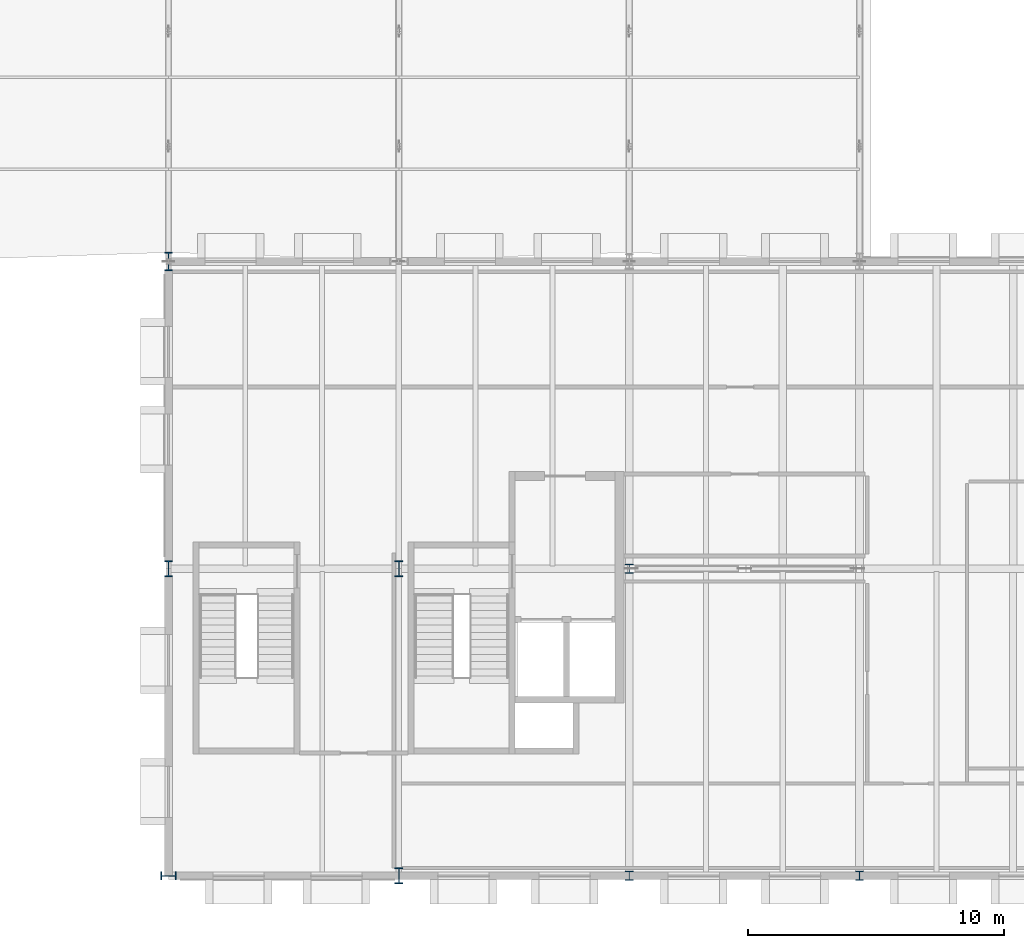
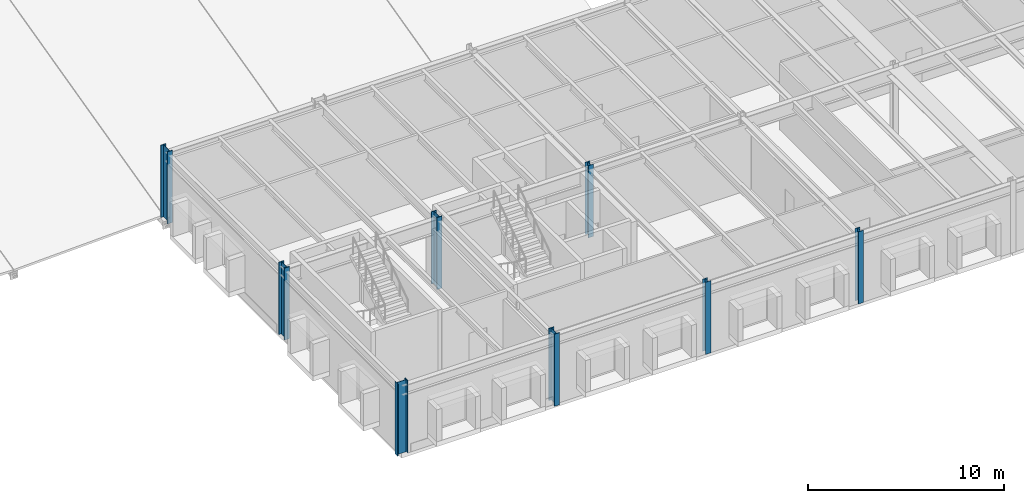
# One storey, part 1 of 67: 8 columns.
"""IFC4 building model written with IfcOpenShell, lengths in metres."""

from ifc_helpers import new_model, si_unit, direction, frame, origin, origin_2d, place, context, subcontext, project, spatial, i_section, extrude, material, material_profile, profile_set, type_object, element, save


model = new_model("IFC4")

# Units and contexts
model_context = context("Model", 3, precision=1e-05, world=origin(), true_north=direction((0.0, 1.0)))
body_context = subcontext(model_context, "Body", "Model", "MODEL_VIEW")
ifc_project = project(units=[si_unit("LENGTHUNIT", "METRE"), si_unit("AREAUNIT", "SQUARE_METRE"), si_unit("VOLUMEUNIT", "CUBIC_METRE"), si_unit("PLANEANGLEUNIT", "RADIAN"), si_unit("MASSUNIT", "GRAM", prefix="KILO")], contexts=[model_context])

# Site, building, storey
site_placement = place(None, origin())
site = spatial("IfcSite", under=ifc_project, at=site_placement, CompositionType="ELEMENT")
building_placement = place(site_placement, origin())
building = spatial("IfcBuilding", under=site, at=building_placement, Name="Montelvaro Courts of Justice", CompositionType="ELEMENT")
storey_placement = place(building_placement, frame((0.0, 0.0, 18.89990234375)))
storey = spatial("IfcBuildingStorey", under=building, at=storey_placement, Name="L04", CompositionType="ELEMENT", Elevation=18.89990234375)

# Columns
ifc_material = material(Name="Steel S355", Category="steel")
ifc_material_profile_1 = material_profile(ifc_material, i_section(OverallWidth=0.300048828125, OverallDepth=0.340087890625, WebThickness=0.011962890625, FlangeThickness=0.021484375, at=origin_2d()), Name="HEB 340")
ifc_profile_set_1 = profile_set([ifc_material_profile_1], Name="Steel S355")
column_type_1 = type_object("IfcColumnType", Name="Col_HEB340", PredefinedType="COLUMN", material=ifc_profile_set_1)
column_1_placement = place(storey_placement, frame((63.0, 0.0, 0.0), z_axis=(0.0, 0.0, 1.0), x_axis=(1.0, 0.0, 0.0)))
element("IfcColumn", 1, at=column_1_placement, inside=storey, type_object=column_type_1, Name="Column C-05 L04 8/A", PredefinedType="COLUMN", context=body_context, shape_type="SweptSolid", body=[
    extrude(i_section(OverallWidth=0.300048828125, OverallDepth=0.340087890625, WebThickness=0.011962890625, FlangeThickness=0.021484375, at=origin_2d()), origin(), (0.0, 0.0, 1.0), 4.5),
])
ifc_material_profile_2 = material_profile(ifc_material, i_section(OverallWidth=0.300048828125, OverallDepth=0.360107421875, WebThickness=0.012451171875, FlangeThickness=0.0224609375, at=origin_2d()), Name="HEB 360")
ifc_profile_set_2 = profile_set([ifc_material_profile_2], Name="Steel S355")
column_type_2 = type_object("IfcColumnType", Name="Col_HEB360", PredefinedType="COLUMN", material=ifc_profile_set_2)
for number, where, z_axis, x_axis, name in (
    (2, (63.0, 12.0, 0.0), (0.0, 0.0, 1.0), (1.0, 0.0, 0.0), "Column C-06 L04 8/B"),
    (3, (72.0, 0.0, 0.0), (0.0, 0.0, 1.0), (1.0, 0.0, 0.0), "Column C-06 L04 9/A"),
):
    element("IfcColumn", number, at=place(storey_placement, frame(where, z_axis=z_axis, x_axis=x_axis)), inside=storey, type_object=column_type_2, Name=name, PredefinedType="COLUMN", context=body_context, shape_type="SweptSolid", body=[
        extrude(i_section(OverallWidth=0.300048828125, OverallDepth=0.360107421875, WebThickness=0.012451171875, FlangeThickness=0.0224609375, at=origin_2d()), origin(), (0.0, 0.0, 1.0), 4.5),
    ])
ifc_material_profile_3 = material_profile(ifc_material, i_section(OverallWidth=0.304931640625, OverallDepth=0.6201171875, WebThickness=0.02099609375, FlangeThickness=0.0400390625, at=origin_2d()), Name="HEM 600")
ifc_profile_set_3 = profile_set([ifc_material_profile_3], Name="Steel S355")
column_type_3 = type_object("IfcColumnType", Name="Col_HEM600", PredefinedType="COLUMN", material=ifc_profile_set_3)
for number, where, z_axis, x_axis, name in (
    (4, (45.0, 0.0, 0.0), (0.0, 0.0, 1.0), (0.0, 1.0, 0.0), "Column C-15 L04 6/A"),
    (5, (45.0, 12.0, 0.0), (0.0, 0.0, 1.0), (1.0, 0.0, 0.0), "Column C-15 L04 6/B"),
    (6, (54.0, 0.0, 0.0), (0.0, 0.0, 1.0), (1.0, 0.0, 0.0), "Column C-15 L04 7/A"),
    (7, (54.0, 12.0, 0.0), (0.0, 0.0, 1.0), (1.0, 0.0, 0.0), "Column C-15 L04 7/B"),
):
    element("IfcColumn", number, at=place(storey_placement, frame(where, z_axis=z_axis, x_axis=x_axis)), inside=storey, type_object=column_type_3, Name=name, PredefinedType="COLUMN", context=body_context, shape_type="SweptSolid", body=[
        extrude(i_section(OverallWidth=0.304931640625, OverallDepth=0.6201171875, WebThickness=0.02099609375, FlangeThickness=0.0400390625, at=origin_2d()), origin(), (0.0, 0.0, 1.0), 4.5),
    ])
ifc_material_profile_4 = material_profile(ifc_material, i_section(OverallWidth=0.303955078125, OverallDepth=0.716064453125, WebThickness=0.02099609375, FlangeThickness=0.0400390625, at=origin_2d()), Name="HEM 700")
ifc_profile_set_4 = profile_set([ifc_material_profile_4], Name="Steel S355")
column_type_4 = type_object("IfcColumnType", Name="Col_HEM700", PredefinedType="COLUMN", material=ifc_profile_set_4)
column_2_placement = place(storey_placement, frame((45.0, 24.0, 0.0), z_axis=(0.0, 0.0, 1.0), x_axis=(1.0, 0.0, 0.0)))
element("IfcColumn", 8, at=column_2_placement, inside=storey, type_object=column_type_4, Name="Column C-16 L04 6/C", PredefinedType="COLUMN", context=body_context, shape_type="SweptSolid", body=[
    extrude(i_section(OverallWidth=0.303955078125, OverallDepth=0.716064453125, WebThickness=0.02099609375, FlangeThickness=0.0400390625, at=origin_2d()), origin(), (0.0, 0.0, 1.0), 4.5),
])

save(model, "model.ifc")
